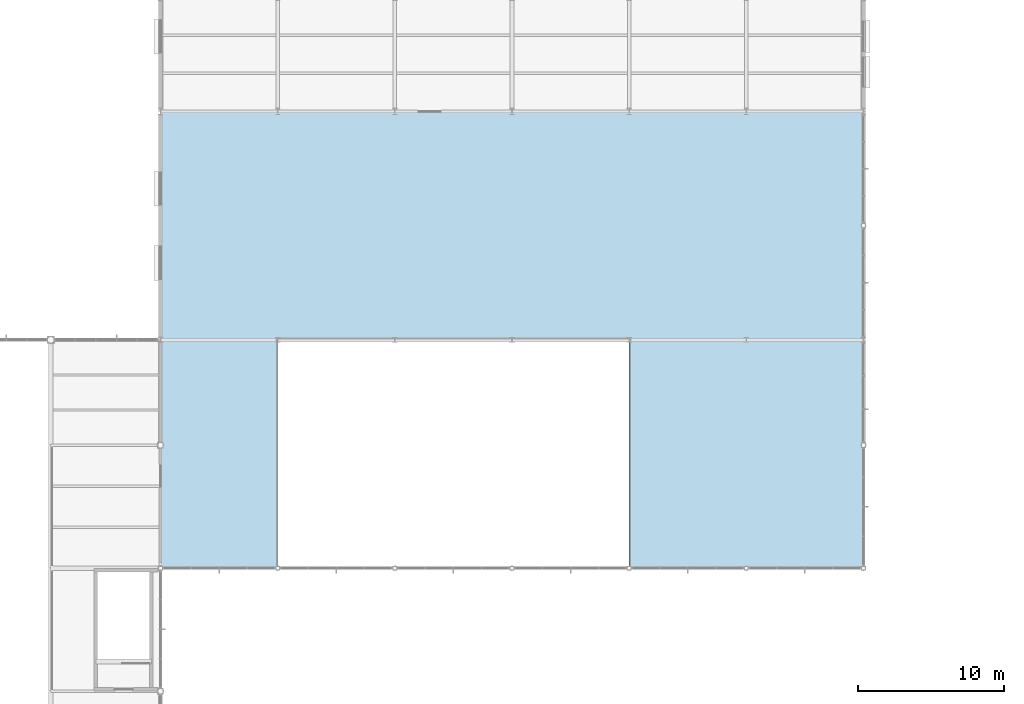
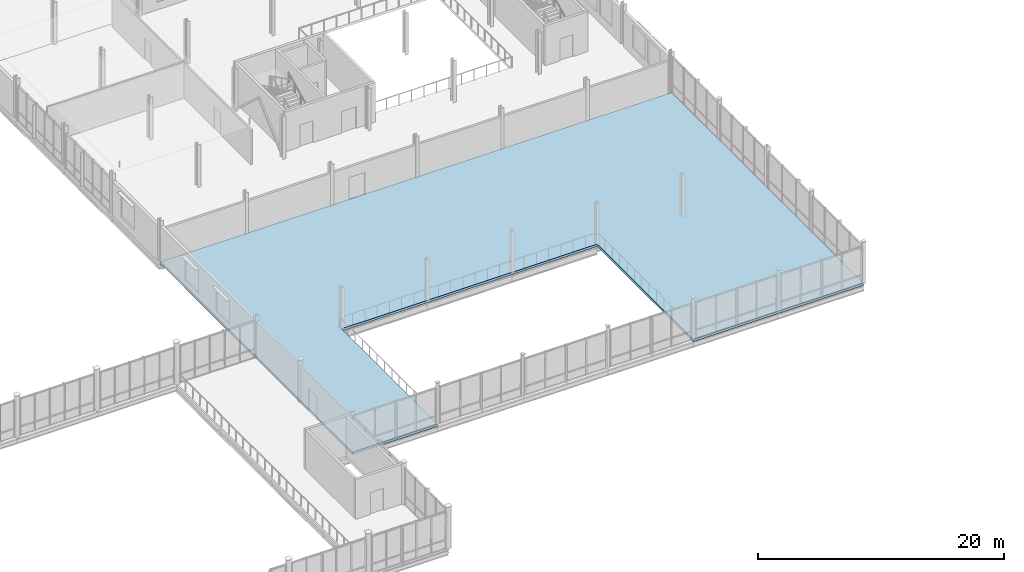
# One storey, part 45 of 75: 1 slab.
"""IFC4 building model written with IfcOpenShell, lengths in metres."""

from ifc_helpers import new_model, si_unit, direction, frame, origin, place, context, subcontext, project, spatial, polyline, outline, extrude, material, layer, layer_set, type_object, element, save


model = new_model("IFC4")

# Units and contexts
model_context = context("Model", 3, precision=1e-05, world=origin(), true_north=direction((0.0, 1.0)))
body_context = subcontext(model_context, "Body", "Model", "MODEL_VIEW")
ifc_project = project(units=[si_unit("LENGTHUNIT", "METRE"), si_unit("AREAUNIT", "SQUARE_METRE"), si_unit("VOLUMEUNIT", "CUBIC_METRE"), si_unit("PLANEANGLEUNIT", "RADIAN"), si_unit("MASSUNIT", "GRAM", prefix="KILO")], contexts=[model_context])

# Site, building, storey
site_placement = place(None, origin())
site = spatial("IfcSite", under=ifc_project, at=site_placement, CompositionType="ELEMENT")
building_placement = place(site_placement, origin())
building = spatial("IfcBuilding", under=site, at=building_placement, Name="Yukiwa Park Conservatory and Herbarium", CompositionType="ELEMENT")
storey_placement = place(building_placement, frame((0.0, 0.0, 4.800048828125)))
storey = spatial("IfcBuildingStorey", under=building, at=storey_placement, Name="L01", CompositionType="ELEMENT", Elevation=4.800048828125)

# Slab
ifc_material = material(Name="Concrete C40", Category="concrete")
ifc_layer = layer(ifc_material, 0.239990234375)
ifc_layer_set = layer_set([ifc_layer], Name="Concrete C40")
slab_type = type_object("IfcSlabType", Name="SL-FLR-240", PredefinedType="FLOOR", material=ifc_layer_set)
slab_placement = place(storey_placement, frame((0.0, 0.0, -0.239990234375)))
element("IfcSlab", 1, at=slab_placement, inside=storey, type_object=slab_type, Name="L01 composite structural floor slab V2", PredefinedType="FLOOR", context=body_context, shape_type="SweptSolid", body=[
    extrude(outline(polyline([(60.0, 15.60009765625), (60.0, 31.199951171875), (60.0, 46.800048828125), (108.0, 46.800048828125), (108.0, 31.199951171875), (108.0, 15.60009765625), (92.0, 15.60009765625), (92.0, 31.199951171875), (68.0, 31.199951171875), (68.0, 15.60009765625), (60.0, 15.60009765625)])), origin(), (0.0, 0.0, 1.0), 0.239990234375),
])

save(model, "model.ifc")
